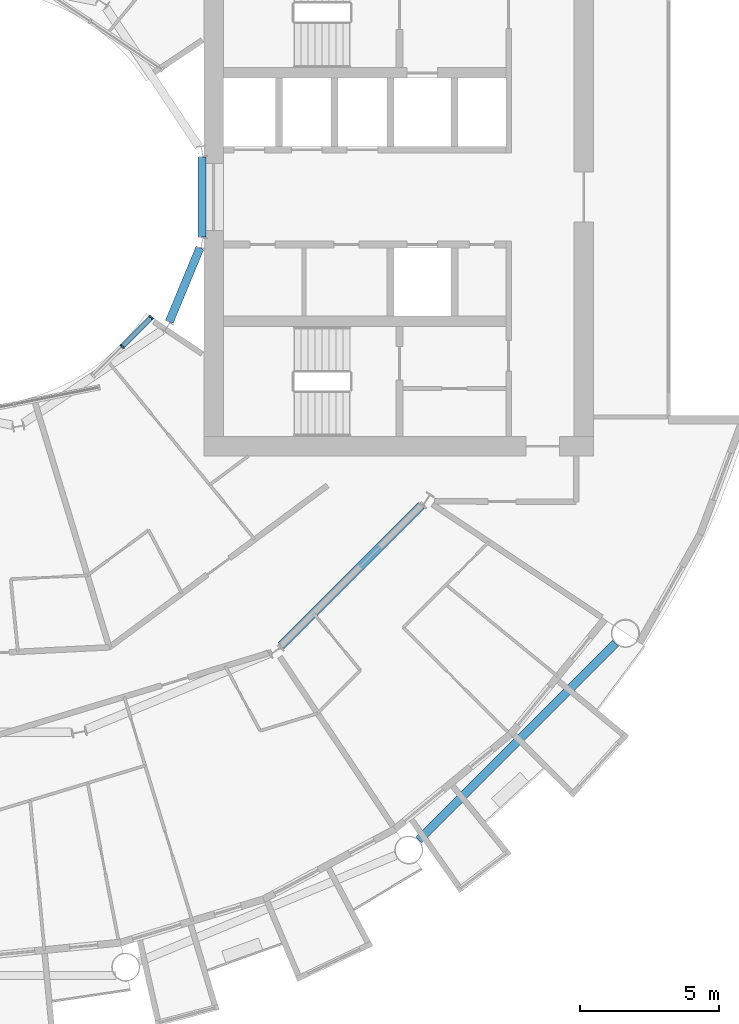
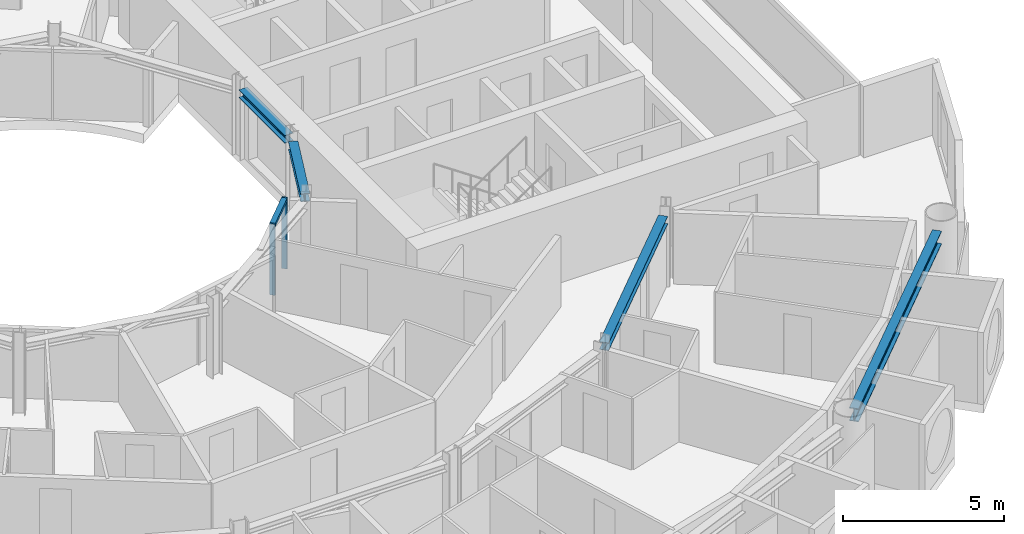
# One storey, part 6 of 26: 4 beams, 3 members, 1 element without a shape of its own.
"""IFC4 building model written with IfcOpenShell, lengths in metres."""

from ifc_helpers import new_model, si_unit, direction, frame, origin, origin_2d, place, context, subcontext, project, spatial, rectangle, i_section, extrude, material, layer, layer_set, material_profile, profile_set, type_object, element, aggregate, save


model = new_model("IFC4")

# Units and contexts
model_context = context("Model", 3, precision=1e-05, world=origin(), true_north=direction((0.0, 1.0)))
body_context = subcontext(model_context, "Body", "Model", "MODEL_VIEW")
ifc_project = project(units=[si_unit("LENGTHUNIT", "METRE"), si_unit("AREAUNIT", "SQUARE_METRE"), si_unit("VOLUMEUNIT", "CUBIC_METRE"), si_unit("PLANEANGLEUNIT", "RADIAN"), si_unit("MASSUNIT", "GRAM", prefix="KILO")], contexts=[model_context])

# Site, building, storey
site_placement = place(None, origin())
site = spatial("IfcSite", under=ifc_project, at=site_placement, CompositionType="ELEMENT")
building_placement = place(site_placement, origin())
building = spatial("IfcBuilding", under=site, at=building_placement, Name="Maasbend Ring Residences", CompositionType="ELEMENT")
storey_placement = place(building_placement, frame((0.0, 0.0, 91.050048828125)))
storey = spatial("IfcBuildingStorey", under=building, at=storey_placement, Name="L26", CompositionType="ELEMENT", Elevation=91.050048828125)

# Curtain wall, members
ifc_material_1 = material(Name="Aluminium and clear glass", Category="aluminium")
ifc_layer = layer(ifc_material_1, 0.179931640625)
ifc_layer_set = layer_set([ifc_layer], Name="CW-W")
curtain_wall_type = type_object("IfcCurtainWallType", Name="CW-W", PredefinedType="NOTDEFINED", material=ifc_layer_set)
curtain_wall_placement = place(storey_placement, origin())
curtain_wall = element("IfcCurtainWall", 1, at=curtain_wall_placement, inside=storey, type_object=curtain_wall_type, Name="Well curtain wall S3", PredefinedType="NOTDEFINED")
ifc_material_2 = material(Name="Aluminium 6063-T6", Category="aluminium")
ifc_material_profile_1 = material_profile(ifc_material_2, rectangle(XDim=0.179931640625, YDim=0.06005859375, at=origin_2d()), Name="AL 180x60")
ifc_profile_set_1 = profile_set([ifc_material_profile_1], Name="Aluminium 6063-T6")
member_type_1 = type_object("IfcMemberType", Name="CWM-W", PredefinedType="MULLION", material=ifc_profile_set_1)
member_1_placement = place(storey_placement, frame((5.366943359375, -5.366943359375, 0.0), z_axis=(0.0, 0.0, 1.0), x_axis=(-0.707106781187, 0.707106781187, 0.0)))
member_1 = element("IfcMember", 2, at=member_1_placement, type_object=member_type_1, Name="Mullion well face", PredefinedType="MULLION", context=body_context, shape_type="SweptSolid", body=[
    extrude(rectangle(XDim=0.179931640625, YDim=0.06005859375, at=origin_2d()), origin(), (0.0, 0.0, 1.0), 2.699951171875),
])
member_2_placement = place(storey_placement, frame((6.413330078125, -4.320556640625, 0.0), z_axis=(0.0, 0.0, 1.0), x_axis=(-0.707106781187, 0.707106781187, 0.0)))
member_2 = element("IfcMember", 3, at=member_2_placement, type_object=member_type_1, Name="Mullion well face", PredefinedType="MULLION", context=body_context, shape_type="SweptSolid", body=[
    extrude(rectangle(XDim=0.179931640625, YDim=0.06005859375, at=origin_2d()), origin(), (0.0, 0.0, 1.0), 2.699951171875),
])
ifc_material_3 = material(Name="Aluminium 6063-T6", Category="aluminium")
ifc_material_profile_2 = material_profile(ifc_material_3, rectangle(XDim=0.179931640625, YDim=0.1201171875, at=origin_2d()), Name="AL 180x120")
ifc_profile_set_2 = profile_set([ifc_material_profile_2], Name="Aluminium 6063-T6")
member_type_2 = type_object("IfcMemberType", Name="CWT-W", PredefinedType="USERDEFINED", material=ifc_profile_set_2)
member_3_placement = place(storey_placement, frame((5.38818359375, -5.345703125, 2.639892578125), z_axis=(0.707106781187, 0.707106781187, 0.0), x_axis=(-0.707106781187, 0.707106781187, 0.0)))
member_3 = element("IfcMember", 4, at=member_3_placement, type_object=member_type_2, Name="Transom well face", ObjectType="TRANSOM", PredefinedType="USERDEFINED", context=body_context, shape_type="SweptSolid", body=[
    extrude(rectangle(XDim=0.179931640625, YDim=0.1201171875, at=origin_2d()), origin(), (0.0, 0.0, 1.0), 1.419677734375),
])
aggregate(curtain_wall, [member_1, member_2, member_3])

# Beams
ifc_material_4 = material(Name="Steel S355J2", Category="steel")
ifc_material_profile_3 = material_profile(ifc_material_4, i_section(OverallWidth=0.300048828125, OverallDepth=0.300048828125, WebThickness=0.010986328125, FlangeThickness=0.01904296875, FilletRadius=0.027099609375, at=origin_2d()), Name="HEB 300")
ifc_profile_set_3 = profile_set([ifc_material_profile_3], Name="Steel S355J2")
beam_type_1 = type_object("IfcBeamType", Name="Corridor ring beam HEB 300", PredefinedType="BEAM", material=ifc_profile_set_3)
beam_1_placement = place(storey_placement, frame((11.078125, -16.10791015625, 2.550048828125), z_axis=(0.707106781187, 0.707106781187, 0.0), x_axis=(-0.707106781187, 0.707106781187, 0.0)))
element("IfcBeam", 5, at=beam_1_placement, inside=storey, type_object=beam_type_1, Name="Corridor ring beam", PredefinedType="BEAM", context=body_context, shape_type="SweptSolid", body=[
    extrude(i_section(OverallWidth=0.300048828125, OverallDepth=0.300048828125, WebThickness=0.010986328125, FlangeThickness=0.01904296875, FilletRadius=0.027099609375, at=origin_2d()), origin(), (0.0, 0.0, 1.0), 7.11328125),
])
ifc_material_5 = material(Name="Steel S355J2", Category="steel")
ifc_material_profile_4 = material_profile(ifc_material_5, i_section(OverallWidth=0.300048828125, OverallDepth=0.5, WebThickness=0.014404296875, FlangeThickness=0.028076171875, FilletRadius=0.027099609375, at=origin_2d()), Name="HEB 500")
ifc_profile_set_4 = profile_set([ifc_material_profile_4], Name="Steel S355J2")
beam_type_2 = type_object("IfcBeamType", Name="Spandrel ring beam HEB 500", PredefinedType="SPANDREL", material=ifc_profile_set_4)
beam_2_placement = place(storey_placement, frame((16.0263671875, -23.088134765625, 2.449951171875), z_axis=(0.707106781187, 0.707106781187, 0.0), x_axis=(-0.707106781187, 0.707106781187, 0.0)))
element("IfcBeam", 6, at=beam_2_placement, inside=storey, type_object=beam_type_2, Name="Spandrel ring beam", PredefinedType="SPANDREL", context=body_context, shape_type="SweptSolid", body=[
    extrude(i_section(OverallWidth=0.300048828125, OverallDepth=0.5, WebThickness=0.014404296875, FlangeThickness=0.028076171875, FilletRadius=0.027099609375, at=origin_2d()), origin(), (0.0, 0.0, 1.0), 9.98681640625),
])
ifc_material_6 = material(Name="Steel S355J2", Category="steel")
ifc_material_profile_5 = material_profile(ifc_material_6, i_section(OverallWidth=0.300048828125, OverallDepth=0.300048828125, WebThickness=0.010986328125, FlangeThickness=0.01904296875, FilletRadius=0.027099609375, at=origin_2d()), Name="HEB 300")
ifc_profile_set_5 = profile_set([ifc_material_profile_5], Name="Steel S355J2")
beam_type_3 = type_object("IfcBeamType", Name="Well edge beam HEB 300", PredefinedType="BEAM", material=ifc_profile_set_5)
beam_3_placement = place(storey_placement, frame((7.062255859375, -4.478515625, 2.550048828125), z_axis=(0.382729955172, 0.923860260761, 0.0), x_axis=(-0.923860260761, 0.382729955172, 0.0)))
element("IfcBeam", 7, at=beam_3_placement, inside=storey, type_object=beam_type_3, Name="Well edge beam", PredefinedType="BEAM", context=body_context, shape_type="SweptSolid", body=[
    extrude(i_section(OverallWidth=0.300048828125, OverallDepth=0.300048828125, WebThickness=0.010986328125, FlangeThickness=0.01904296875, FilletRadius=0.027099609375, at=origin_2d()), origin(), (0.0, 0.0, 1.0), 2.869873046875),
])
beam_4_placement = place(storey_placement, frame((8.238525390625, -1.434814453125, 2.550048828125), z_axis=(0.0, 1.0, 0.0), x_axis=(-1.0, 0.0, 0.0)))
element("IfcBeam", 8, at=beam_4_placement, inside=storey, type_object=beam_type_3, Name="Well edge beam", PredefinedType="BEAM", context=body_context, shape_type="SweptSolid", body=[
    extrude(i_section(OverallWidth=0.300048828125, OverallDepth=0.300048828125, WebThickness=0.010986328125, FlangeThickness=0.01904296875, FilletRadius=0.027099609375, at=origin_2d()), origin(), (0.0, 0.0, 1.0), 2.86962890625),
])

save(model, "model.ifc")
